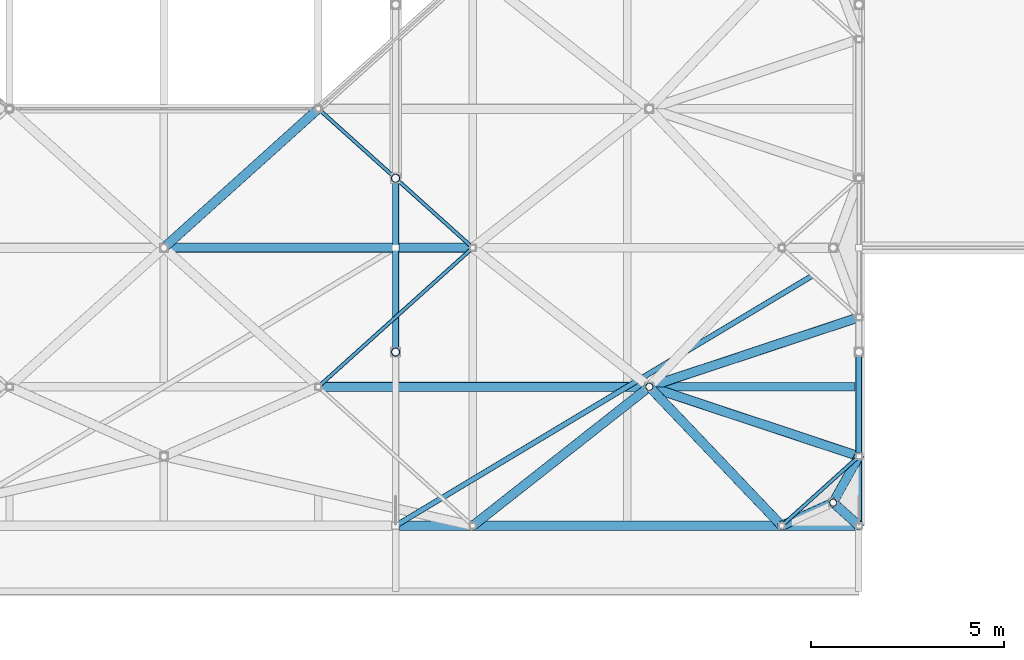
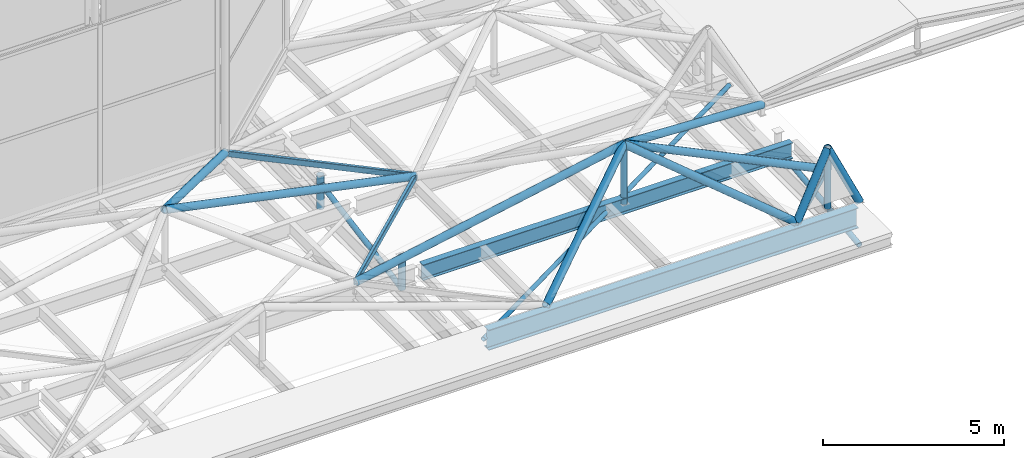
# One storey, part 41 of 239: 17 members, 5 beams.
"""IFC4 building model written with IfcOpenShell, lengths in metres."""

from ifc_helpers import new_model, si_unit, direction, frame, origin, origin_2d, place, context, subcontext, project, spatial, hollow_rectangle, hollow_circle, i_section, extrude, material, material_profile, profile_set, type_object, element, save


model = new_model("IFC4")

# Units and contexts
model_context = context("Model", 3, precision=1e-05, world=origin(), true_north=direction((0.0, 1.0)))
body_context = subcontext(model_context, "Body", "Model", "MODEL_VIEW")
ifc_project = project(units=[si_unit("LENGTHUNIT", "METRE"), si_unit("AREAUNIT", "SQUARE_METRE"), si_unit("VOLUMEUNIT", "CUBIC_METRE"), si_unit("PLANEANGLEUNIT", "RADIAN"), si_unit("MASSUNIT", "GRAM", prefix="KILO")], contexts=[model_context])

# Site, building, storey
site_placement = place(None, origin())
site = spatial("IfcSite", under=ifc_project, at=site_placement, CompositionType="ELEMENT")
building_placement = place(site_placement, origin())
building = spatial("IfcBuilding", under=site, at=building_placement, Name="Dunvalen Ferry Terminal", CompositionType="ELEMENT")
storey_placement = place(building_placement, frame((0.0, 0.0, 9.840087890625)))
storey = spatial("IfcBuildingStorey", under=building, at=storey_placement, Name="L02", CompositionType="ELEMENT", Elevation=9.840087890625)

# Beams
ifc_material = material(Name="Steel S355", Category="steel")
ifc_material_profile_1 = material_profile(ifc_material, hollow_rectangle(XDim=0.10009765625, YDim=0.199951171875, WallThickness=0.008056640625, InnerFilletRadius=0.008056640625, OuterFilletRadius=0.01611328125, at=origin_2d()), Name="Steel S355")
ifc_profile_set_1 = profile_set([ifc_material_profile_1], Name="Steel S355")
beam_type_1 = type_object("IfcBeamType", Name="STR-BM-RHS200", PredefinedType="BEAM", material=ifc_profile_set_1)
beam_1_placement = place(storey_placement, frame((82.0, 54.0, 1.099853515625), z_axis=(0.743285123004, 0.668974757313, 0.0), x_axis=(-0.668974757313, 0.743285123004, 0.0)))
element("IfcBeam", 1, at=beam_1_placement, inside=storey, type_object=beam_type_1, Name="HEX-35 Hexagonal Rim Beam 3", PredefinedType="BEAM", context=body_context, shape_type="SweptSolid", body=[
    extrude(hollow_rectangle(XDim=0.10009765625, YDim=0.199951171875, WallThickness=0.008056640625, InnerFilletRadius=0.008056640625, OuterFilletRadius=0.01611328125, at=origin_2d()), origin(), (0.0, 0.0, 1.0), 5.381591796875),
])
beam_2_placement = place(storey_placement, frame((86.0, 57.60009765625, 1.099853515625), z_axis=(-0.74330768127, 0.668949692402, 0.0), x_axis=(-0.668949692402, -0.74330768127, 0.0)))
element("IfcBeam", 2, at=beam_2_placement, inside=storey, type_object=beam_type_1, Name="HEX-35 Hexagonal Rim Beam 4", PredefinedType="BEAM", context=body_context, shape_type="SweptSolid", body=[
    extrude(hollow_rectangle(XDim=0.10009765625, YDim=0.199951171875, WallThickness=0.008056640625, InnerFilletRadius=0.008056640625, OuterFilletRadius=0.01611328125, at=origin_2d()), origin(), (0.0, 0.0, 1.0), 5.38134765625),
])
beam_3_placement = place(storey_placement, frame((94.0, 50.39990234375, 1.099853515625), z_axis=(0.743285123004, 0.668974757313, 0.0), x_axis=(-0.668974757313, 0.743285123004, 0.0)))
element("IfcBeam", 3, at=beam_3_placement, inside=storey, type_object=beam_type_1, Name="HEX-40 Hexagonal Rim Beam 3", PredefinedType="BEAM", context=body_context, shape_type="SweptSolid", body=[
    extrude(hollow_rectangle(XDim=0.10009765625, YDim=0.199951171875, WallThickness=0.008056640625, InnerFilletRadius=0.008056640625, OuterFilletRadius=0.01611328125, at=origin_2d()), origin(), (0.0, 0.0, 1.0), 2.690673828125),
])
ifc_material_profile_2 = material_profile(ifc_material, i_section(OverallWidth=0.209228515625, OverallDepth=0.533203125, WebThickness=0.010009765625, FlangeThickness=0.015625, FilletRadius=0.0126953125, at=origin_2d()), Name="Steel S355")
ifc_profile_set_2 = profile_set([ifc_material_profile_2], Name="Steel S355")
beam_type_2 = type_object("IfcBeamType", Name="STR-BM-UKB533", PredefinedType="BEAM", material=ifc_profile_set_2)
beam_4_placement = place(storey_placement, frame((84.10009765625, 54.0, 0.7333984375), z_axis=(1.0, 0.0, 0.0), x_axis=(0.0, 1.0, 0.0)))
element("IfcBeam", 4, at=beam_4_placement, inside=storey, type_object=beam_type_2, Name="Departure Hall Spine Girder B7.02", PredefinedType="BEAM", context=body_context, shape_type="SweptSolid", body=[
    extrude(i_section(OverallWidth=0.209228515625, OverallDepth=0.533203125, WebThickness=0.010009765625, FlangeThickness=0.015625, FilletRadius=0.0126953125, at=origin_2d()), origin(), (0.0, 0.0, 1.0), 11.7998046875),
])
ifc_material_profile_3 = material_profile(ifc_material, i_section(OverallWidth=0.253662109375, OverallDepth=0.68359375, WebThickness=0.012451171875, FlangeThickness=0.01904296875, FilletRadius=0.01513671875, at=origin_2d()), Name="Steel S355")
ifc_profile_set_3 = profile_set([ifc_material_profile_3], Name="Steel S355")
beam_type_3 = type_object("IfcBeamType", Name="STR-BM-UKB686", PredefinedType="BEAM", material=ifc_profile_set_3)
beam_5_placement = place(storey_placement, frame((84.10009765625, 50.39990234375, 0.658203125), z_axis=(1.0, 0.0, 0.0), x_axis=(0.0, 1.0, 0.0)))
element("IfcBeam", 5, at=beam_5_placement, inside=storey, type_object=beam_type_3, Name="Departure Hall Spine Girder B7.01", PredefinedType="BEAM", context=body_context, shape_type="SweptSolid", body=[
    extrude(i_section(OverallWidth=0.253662109375, OverallDepth=0.68359375, WebThickness=0.012451171875, FlangeThickness=0.01904296875, FilletRadius=0.01513671875, at=origin_2d()), origin(), (0.0, 0.0, 1.0), 11.7998046875),
])

# Members
ifc_material_profile_4 = material_profile(ifc_material, hollow_circle(Radius=0.06982421875, WallThickness=0.00634765625, at=origin_2d()), Name="Steel S355")
ifc_profile_set_4 = profile_set([ifc_material_profile_4], Name="Steel S355")
member_type_1 = type_object("IfcMemberType", Name="STR-MB-CHS139", PredefinedType="BRACE", material=ifc_profile_set_4)
member_1_placement = place(storey_placement, frame((84.0, 50.39990234375, 0.659912109375), z_axis=(0.857486768376, 0.514506017516, 0.0), x_axis=(-0.514506017516, 0.857486768376, 0.0)))
element("IfcMember", 6, at=member_1_placement, inside=storey, type_object=member_type_1, Name="Departure Hall Roof Wind Brace 7A", PredefinedType="BRACE", context=body_context, shape_type="SweptSolid", body=[
    extrude(hollow_circle(Radius=0.06982421875, WallThickness=0.00634765625, at=origin_2d()), origin(), (0.0, 0.0, 1.0), 13.994384765625),
])
ifc_material_profile_5 = material_profile(ifc_material, hollow_circle(Radius=0.084228515625, WallThickness=0.008056640625, at=origin_2d()), Name="Steel S355")
ifc_profile_set_5 = profile_set([ifc_material_profile_5], Name="Steel S355")
member_type_2 = type_object("IfcMemberType", Name="STR-MB-CHS168", PredefinedType="BRACE", material=ifc_profile_set_5)
member_2_placement = place(storey_placement, frame((84.0, 54.89990234375, -0.360107421875), z_axis=(0.0, 0.983218272848, 0.18243307797), x_axis=(-1.0, 0.0, 0.0)))
element("IfcMember", 7, at=member_2_placement, inside=storey, type_object=member_type_2, Name="Departure Hall Arch Web Diagonal 07.2", PredefinedType="BRACE", context=body_context, shape_type="SweptSolid", body=[
    extrude(hollow_circle(Radius=0.084228515625, WallThickness=0.008056640625, at=origin_2d()), origin(), (0.0, 0.0, 1.0), 4.576904296875),
])
member_3_placement = place(storey_placement, frame((96.0, 50.39990234375, -0.360107421875), z_axis=(0.0, 0.993166043245, 0.116709941931), x_axis=(-1.0, 0.0, 0.0)))
element("IfcMember", 8, at=member_3_placement, inside=storey, type_object=member_type_2, Name="Departure Hall Arch Web Diagonal 08.1", PredefinedType="BRACE", context=body_context, shape_type="SweptSolid", body=[
    extrude(hollow_circle(Radius=0.084228515625, WallThickness=0.008056640625, at=origin_2d()), origin(), (0.0, 0.0, 1.0), 4.531005859375),
])
ifc_material_profile_6 = material_profile(ifc_material, hollow_circle(Radius=0.096923828125, WallThickness=0.008056640625, at=origin_2d()), Name="Steel S355")
ifc_profile_set_6 = profile_set([ifc_material_profile_6], Name="Steel S355")
member_type_3 = type_object("IfcMemberType", Name="STR-MB-CHS193", PredefinedType="STRUT", material=ifc_profile_set_6)
for number, where, z_axis, x_axis, name in (
    (9, (90.5712890625, 54.0, 0.77001953125), (0.0, 0.0, 1.0), (1.0, 0.0, 0.0), "HEX-40 Pyramid Apex Strut"),
    (10, (95.333251953125, 51.0, 0.77001953125), (0.0, 0.0, 1.0), (1.0, 0.0, 0.0), "HEX-45 Pyramid Apex Strut"),
):
    element("IfcMember", number, at=place(storey_placement, frame(where, z_axis=z_axis, x_axis=x_axis)), inside=storey, type_object=member_type_3, Name=name, PredefinedType="STRUT", context=body_context, shape_type="SweptSolid", body=[
        extrude(hollow_circle(Radius=0.096923828125, WallThickness=0.008056640625, at=origin_2d()), origin(), (0.0, 0.0, 1.0), 1.994873046875),
    ])
ifc_material_profile_7 = material_profile(ifc_material, hollow_circle(Radius=0.109619140625, WallThickness=0.010009765625, at=origin_2d()), Name="Steel S355")
ifc_profile_set_7 = profile_set([ifc_material_profile_7], Name="Steel S355")
member_type_4 = type_object("IfcMemberType", Name="STR-MB-CHS219", PredefinedType="STRUT", material=ifc_profile_set_7)
for number, where, z_axis, x_axis, name in (
    (11, (84.0, 54.89990234375, -0.360107421875), (0.0, 0.0, 1.0), (1.0, 0.0, 0.0), "Departure Hall Arch Spandrel Strut 07.1"),
    (12, (84.0, 59.39990234375, -0.360107421875), (0.0, 0.0, 1.0), (1.0, 0.0, 0.0), "Departure Hall Arch Spandrel Strut 07.2"),
):
    element("IfcMember", number, at=place(storey_placement, frame(where, z_axis=z_axis, x_axis=x_axis)), inside=storey, type_object=member_type_4, Name=name, PredefinedType="STRUT", context=body_context, shape_type="SweptSolid", body=[
        extrude(hollow_circle(Radius=0.109619140625, WallThickness=0.010009765625, at=origin_2d()), origin(), (0.0, 0.0, 1.0), 1.130126953125),
    ])
ifc_material_profile_8 = material_profile(ifc_material, hollow_circle(Radius=0.122314453125, WallThickness=0.010009765625, at=origin_2d()), Name="Steel S355")
ifc_profile_set_8 = profile_set([ifc_material_profile_8], Name="Steel S355")
member_type_5 = type_object("IfcMemberType", Name="STR-MB-CHS244", PredefinedType="STRUT", material=ifc_profile_set_8)
member_4_placement = place(storey_placement, frame((86.0, 57.60009765625, 1.099853515625), z_axis=(-0.979020171275, 0.0, 0.203763353518), x_axis=(0.0, -1.0, 0.0)))
element("IfcMember", 13, at=member_4_placement, inside=storey, type_object=member_type_5, Name="HEX-35 Pyramid Hip Rafter 4", PredefinedType="STRUT", context=body_context, shape_type="SweptSolid", body=[
    extrude(hollow_circle(Radius=0.122314453125, WallThickness=0.010009765625, at=origin_2d()), origin(), (0.0, 0.0, 1.0), 8.17138671875),
])
member_5_placement = place(storey_placement, frame((82.0, 61.199951171875, 1.099853515625), z_axis=(-0.710094348105, -0.639058908863, 0.295583706914), x_axis=(0.668949692402, -0.74330768127, 0.0)))
element("IfcMember", 14, at=member_5_placement, inside=storey, type_object=member_type_5, Name="HEX-35 Pyramid Hip Rafter 5", PredefinedType="STRUT", context=body_context, shape_type="SweptSolid", body=[
    extrude(hollow_circle(Radius=0.122314453125, WallThickness=0.010009765625, at=origin_2d()), origin(), (0.0, 0.0, 1.0), 5.633056640625),
])
member_6_placement = place(storey_placement, frame((82.0, 54.0, 1.099853515625), z_axis=(0.981649716778, 0.0, 0.190693034876), x_axis=(0.0, 1.0, 0.0)))
element("IfcMember", 15, at=member_6_placement, inside=storey, type_object=member_type_5, Name="HEX-40 Pyramid Hip Rafter 1", PredefinedType="STRUT", context=body_context, shape_type="SweptSolid", body=[
    extrude(hollow_circle(Radius=0.122314453125, WallThickness=0.010009765625, at=origin_2d()), origin(), (0.0, 0.0, 1.0), 8.7314453125),
])
member_7_placement = place(storey_placement, frame((86.0, 50.39990234375, 1.099853515625), z_axis=(0.755303948682, 0.594836147579, 0.275110709785), x_axis=(-0.61871061037, 0.785618979287, 0.0)))
element("IfcMember", 16, at=member_7_placement, inside=storey, type_object=member_type_5, Name="HEX-40 Pyramid Hip Rafter 2", PredefinedType="STRUT", context=body_context, shape_type="SweptSolid", body=[
    extrude(hollow_circle(Radius=0.122314453125, WallThickness=0.010009765625, at=origin_2d()), origin(), (0.0, 0.0, 1.0), 6.05224609375),
])
member_8_placement = place(storey_placement, frame((94.0, 50.39990234375, 1.099853515625), z_axis=(-0.653958936196, 0.686647570005, 0.317573337002), x_axis=(-0.724133259713, -0.689660077269, 0.0)))
element("IfcMember", 17, at=member_8_placement, inside=storey, type_object=member_type_5, Name="HEX-40 Pyramid Hip Rafter 3", PredefinedType="STRUT", context=body_context, shape_type="SweptSolid", body=[
    extrude(hollow_circle(Radius=0.122314453125, WallThickness=0.010009765625, at=origin_2d()), origin(), (0.0, 0.0, 1.0), 5.242919921875),
])
for number, where, z_axis, x_axis, name in (
    (18, (96.0, 52.199951171875, 1.099853515625), (-0.911347276527, 0.302184002061, 0.279519177276), (-0.314729068317, -0.949181549313, 0.0), "HEX-40 Pyramid Hip Rafter 4"),
    (19, (96.0, 55.800048828125, 1.099853515625), (-0.911347276527, -0.302184002061, 0.279519177276), (0.314729068317, -0.949181549313, 0.0), "HEX-40 Pyramid Hip Rafter 5"),
):
    element("IfcMember", number, at=place(storey_placement, frame(where, z_axis=z_axis, x_axis=x_axis)), inside=storey, type_object=member_type_5, Name=name, PredefinedType="STRUT", context=body_context, shape_type="SweptSolid", body=[
        extrude(hollow_circle(Radius=0.122314453125, WallThickness=0.010009765625, at=origin_2d()), origin(), (0.0, 0.0, 1.0), 5.956787109375),
    ])
member_9_placement = place(storey_placement, frame((96.0, 50.39990234375, 1.099853515625), z_axis=(-0.352533790155, 0.317293319737, 0.880366330597), x_axis=(-0.668979768185, -0.743280613065, 0.0)))
element("IfcMember", 20, at=member_9_placement, inside=storey, type_object=member_type_5, Name="HEX-45 Pyramid Hip Rafter 1", PredefinedType="STRUT", context=body_context, shape_type="SweptSolid", body=[
    extrude(hollow_circle(Radius=0.122314453125, WallThickness=0.010009765625, at=origin_2d()), origin(), (0.0, 0.0, 1.0), 1.891357421875),
])
member_10_placement = place(storey_placement, frame((96.0, 52.199951171875, 1.099853515625), z_axis=(-0.308971474595, -0.556058146333, 0.771580174566), x_axis=(0.874123717778, -0.485703331282, 0.0)))
element("IfcMember", 21, at=member_10_placement, inside=storey, type_object=member_type_5, Name="HEX-45 Pyramid Hip Rafter 2", PredefinedType="STRUT", context=body_context, shape_type="SweptSolid", body=[
    extrude(hollow_circle(Radius=0.122314453125, WallThickness=0.010009765625, at=origin_2d()), origin(), (0.0, 0.0, 1.0), 2.157958984375),
])
member_11_placement = place(storey_placement, frame((94.0, 50.39990234375, 1.099853515625), z_axis=(0.601686158653, 0.270819369707, 0.751419081124), x_axis=(-0.410441050062, 0.911887133599, 0.0)))
element("IfcMember", 22, at=member_11_placement, inside=storey, type_object=member_type_5, Name="HEX-45 Pyramid Hip Rafter 3", PredefinedType="STRUT", context=body_context, shape_type="SweptSolid", body=[
    extrude(hollow_circle(Radius=0.122314453125, WallThickness=0.010009765625, at=origin_2d()), origin(), (0.0, 0.0, 1.0), 2.2158203125),
])

save(model, "model.ifc")
